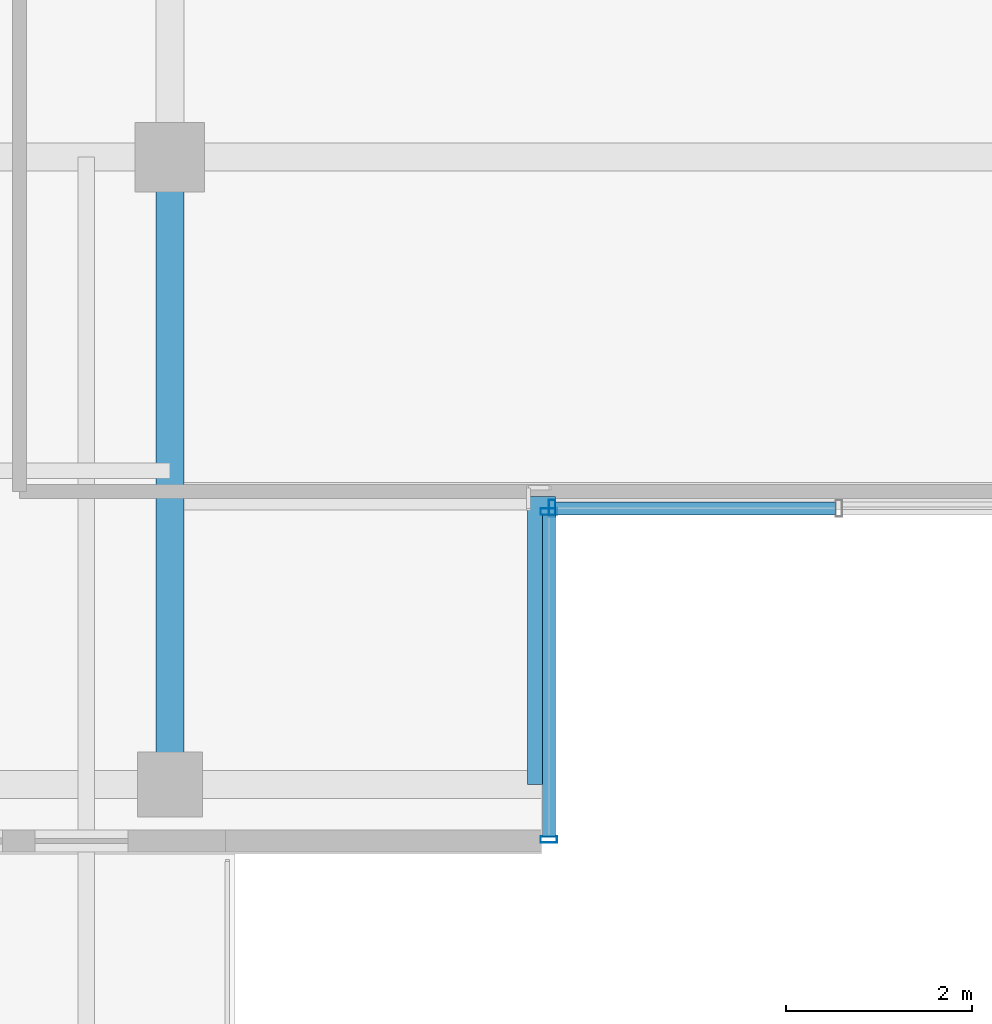
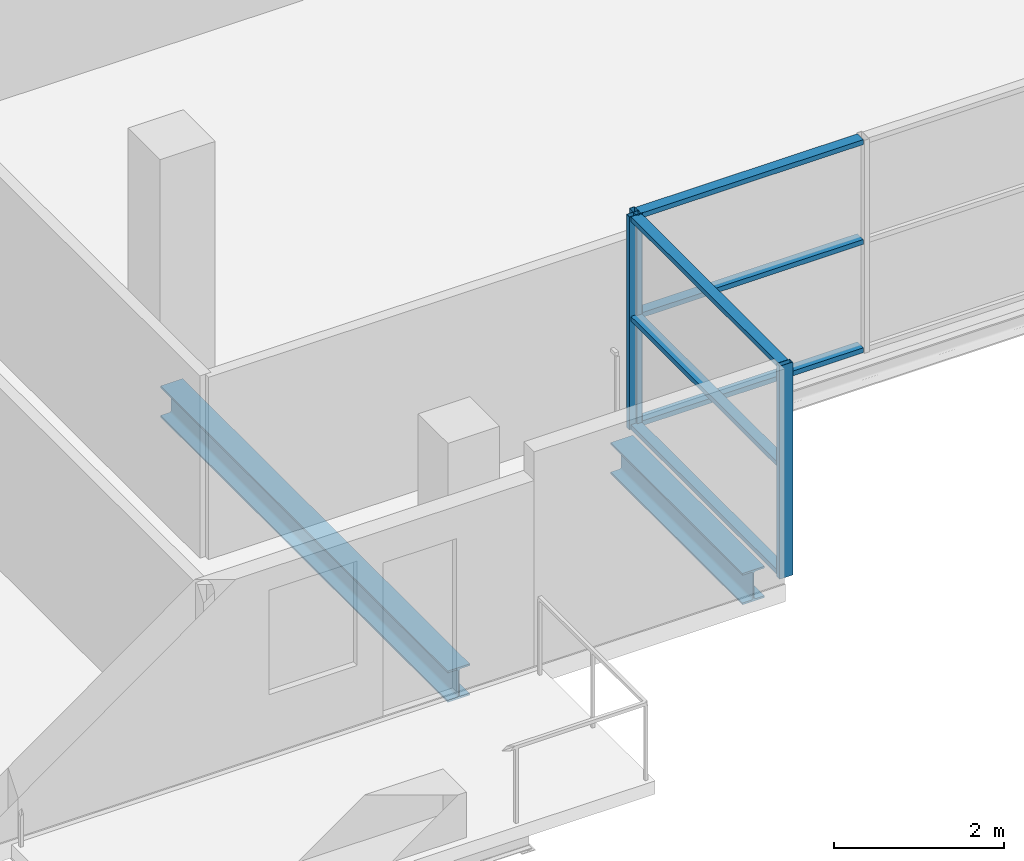
# One storey, part 6 of 24: 9 members, 2 beams, 2 elements without a shape of their own.
"""IFC4 building model written with IfcOpenShell, lengths in metres."""

from ifc_helpers import new_model, si_unit, direction, frame, origin, origin_2d, place, context, subcontext, project, spatial, hollow_rectangle, i_section, extrude, source, transform, mapped, material, layer, layer_set, material_profile, profile_set, type_object, element, aggregate, save


model = new_model("IFC4")

# Units and contexts
model_context = context("Model", 3, precision=1e-05, world=origin(), true_north=direction((0.0, 1.0)))
body_context = subcontext(model_context, "Body", "Model", "MODEL_VIEW")
ifc_project = project(units=[si_unit("LENGTHUNIT", "METRE"), si_unit("AREAUNIT", "SQUARE_METRE"), si_unit("VOLUMEUNIT", "CUBIC_METRE"), si_unit("PLANEANGLEUNIT", "RADIAN"), si_unit("MASSUNIT", "GRAM", prefix="KILO")], contexts=[model_context])

# Site, building, storey
site_placement = place(None, origin())
site = spatial("IfcSite", under=ifc_project, at=site_placement, CompositionType="ELEMENT")
building_placement = place(site_placement, origin())
building = spatial("IfcBuilding", under=site, at=building_placement, Name="Zarnakvel Exchange Tower", CompositionType="ELEMENT")
storey_placement = place(building_placement, frame((0.0, 0.0, 205.60009765625)))
storey = spatial("IfcBuildingStorey", under=building, at=storey_placement, Name="L57", CompositionType="ELEMENT", Elevation=205.60009765625)

# Beams
ifc_material_1 = material(Name="Steel S355", Category="steel")
ifc_material_profile_1 = material_profile(ifc_material_1, i_section(OverallWidth=0.300048828125, OverallDepth=0.449951171875, WebThickness=0.013916015625, FlangeThickness=0.02587890625, FilletRadius=0.027099609375, at=origin_2d()))
ifc_profile_set_1 = profile_set([ifc_material_profile_1], Name="Steel S355")
beam_type = type_object("IfcBeamType", Name="G-07", PredefinedType="BEAM", material=ifc_profile_set_1)
beam_1_placement = place(storey_placement, frame((-3.199951171875, -16.35009765625, -0.47509765625), z_axis=(0.0, 1.0, 0.0), x_axis=(-1.0, 0.0, 0.0)))
element("IfcBeam", 1, at=beam_1_placement, inside=storey, type_object=beam_type, Name="L57 South Slot West Cheek Beam", PredefinedType="BEAM", context=body_context, shape_type="SweptSolid", body=[
    extrude(i_section(OverallWidth=0.300048828125, OverallDepth=0.449951171875, WebThickness=0.013916015625, FlangeThickness=0.02587890625, FilletRadius=0.027099609375, at=origin_2d()), origin(), (0.0, 0.0, 1.0), 3.10009765625),
])
beam_2_placement = place(storey_placement, frame((-7.199951171875, -16.35009765625, -0.47509765625), z_axis=(0.0, 1.0, 0.0), x_axis=(-1.0, 0.0, 0.0)))
element("IfcBeam", 2, at=beam_2_placement, inside=storey, type_object=beam_type, Name="L57 Tower N-S Frame Beam", PredefinedType="BEAM", context=body_context, shape_type="SweptSolid", body=[
    extrude(i_section(OverallWidth=0.300048828125, OverallDepth=0.449951171875, WebThickness=0.013916015625, FlangeThickness=0.02587890625, FilletRadius=0.027099609375, at=origin_2d()), origin(), (0.0, 0.0, 1.0), 6.75),
])

# Curtain wall, members
ifc_material_2 = material(Name="Architectural Bronze Anodised Aluminium", Category="aluminium")
ifc_layer = layer(ifc_material_2, 0.179931640625)
ifc_layer_set = layer_set([ifc_layer], Name="Architectural Bronze Anodised Aluminium")
curtain_wall_type = type_object("IfcCurtainWallType", Name="CW-05", PredefinedType="NOTDEFINED", material=ifc_layer_set)
curtain_wall_1_placement = place(storey_placement, origin())
curtain_wall_1 = element("IfcCurtainWall", 3, at=curtain_wall_1_placement, inside=storey, type_object=curtain_wall_type, Name="L57 Curtain Wall CW-L57-SLW (CW-05)", PredefinedType="NOTDEFINED")
ifc_material_profile_2 = material_profile(ifc_material_2, hollow_rectangle(XDim=0.139892578125, YDim=0.070068359375, WallThickness=0.00390625, at=origin_2d()))
ifc_profile_set_2 = profile_set([ifc_material_profile_2], Name="Architectural Bronze Anodised Aluminium")
member_type_1 = type_object("IfcMemberType", Name="CWT-05", PredefinedType="USERDEFINED", material=ifc_profile_set_2)
shared_shape_1 = source(origin(), body_context, "Body", "SweptSolid", [
    extrude(hollow_rectangle(XDim=0.139892578125, YDim=0.070068359375, WallThickness=0.00390625, at=origin_2d()), origin(), (0.0, 0.0, 1.0), 3.4599609375),
])
member_1_placement = place(storey_placement, frame((-3.1201171875, -16.909912109375, 0.034912109375), z_axis=(0.0, 1.0, 0.0), x_axis=(-1.0, 0.0, 0.0)))
member_1 = element("IfcMember", 4, at=member_1_placement, type_object=member_type_1, Name="CW-05 transom 1.1", ObjectType="TRANSOM", PredefinedType="USERDEFINED", context=body_context, shape_type="MappedRepresentation", body=[
    mapped(shared_shape_1, transform((0.0, 0.0, 0.0), x_axis=(1.0, 0.0, 0.0), y_axis=(0.0, 1.0, 0.0), z_axis=(0.0, 0.0, 1.0), scale=1.0)),
])
member_2_placement = place(storey_placement, frame((-3.1201171875, -16.909912109375, 1.588623046875), z_axis=(0.0, 1.0, 0.0), x_axis=(-1.0, 0.0, 0.0)))
member_2 = element("IfcMember", 5, at=member_2_placement, type_object=member_type_1, Name="CW-05 transom 1.2", ObjectType="TRANSOM", PredefinedType="USERDEFINED", context=body_context, shape_type="MappedRepresentation", body=[
    mapped(shared_shape_1, transform((0.0, 0.0, 0.0), x_axis=(1.0, 0.0, 0.0), y_axis=(0.0, 1.0, 0.0), z_axis=(0.0, 0.0, 1.0), scale=1.0)),
])
member_3_placement = place(storey_placement, frame((-3.1201171875, -16.909912109375, 3.02001953125), z_axis=(0.0, 1.0, 0.0), x_axis=(-1.0, 0.0, 0.0)))
member_3 = element("IfcMember", 6, at=member_3_placement, type_object=member_type_1, Name="CW-05 transom 1.3", ObjectType="TRANSOM", PredefinedType="USERDEFINED", context=body_context, shape_type="MappedRepresentation", body=[
    mapped(shared_shape_1, transform((0.0, 0.0, 0.0), x_axis=(1.0, 0.0, 0.0), y_axis=(0.0, 1.0, 0.0), z_axis=(0.0, 0.0, 1.0), scale=1.0)),
])

curtain_wall_2_placement = place(storey_placement, origin())
curtain_wall_2 = element("IfcCurtainWall", 7, at=curtain_wall_2_placement, inside=storey, type_object=curtain_wall_type, Name="L57 Curtain Wall CW-L57-SLB (CW-05)", PredefinedType="NOTDEFINED")
shared_shape_2 = source(origin(), body_context, "Body", "SweptSolid", [
    extrude(hollow_rectangle(XDim=0.139892578125, YDim=0.070068359375, WallThickness=0.00390625, at=origin_2d()), origin(), (0.0, 0.0, 1.0), 3.01513671875),
])
member_4_placement = place(storey_placement, frame((-3.050048828125, -13.3798828125, 0.034912109375), z_axis=(1.0, 0.0, 0.0), x_axis=(0.0, 1.0, 0.0)))
member_4 = element("IfcMember", 8, at=member_4_placement, type_object=member_type_1, Name="CW-05 transom 1.1", ObjectType="TRANSOM", PredefinedType="USERDEFINED", context=body_context, shape_type="MappedRepresentation", body=[
    mapped(shared_shape_2, transform((0.0, 0.0, 0.0), x_axis=(1.0, 0.0, 0.0), y_axis=(0.0, 1.0, 0.0), z_axis=(0.0, 0.0, 1.0), scale=1.0)),
])
member_5_placement = place(storey_placement, frame((-3.050048828125, -13.3798828125, 1.588623046875), z_axis=(1.0, 0.0, 0.0), x_axis=(0.0, 1.0, 0.0)))
member_5 = element("IfcMember", 9, at=member_5_placement, type_object=member_type_1, Name="CW-05 transom 1.2", ObjectType="TRANSOM", PredefinedType="USERDEFINED", context=body_context, shape_type="MappedRepresentation", body=[
    mapped(shared_shape_2, transform((0.0, 0.0, 0.0), x_axis=(1.0, 0.0, 0.0), y_axis=(0.0, 1.0, 0.0), z_axis=(0.0, 0.0, 1.0), scale=1.0)),
])
member_6_placement = place(storey_placement, frame((-3.050048828125, -13.3798828125, 3.02001953125), z_axis=(1.0, 0.0, 0.0), x_axis=(0.0, 1.0, 0.0)))
member_6 = element("IfcMember", 10, at=member_6_placement, type_object=member_type_1, Name="CW-05 transom 1.3", ObjectType="TRANSOM", PredefinedType="USERDEFINED", context=body_context, shape_type="MappedRepresentation", body=[
    mapped(shared_shape_2, transform((0.0, 0.0, 0.0), x_axis=(1.0, 0.0, 0.0), y_axis=(0.0, 1.0, 0.0), z_axis=(0.0, 0.0, 1.0), scale=1.0)),
])

# Member
ifc_material_profile_3 = material_profile(ifc_material_2, hollow_rectangle(XDim=0.179931640625, YDim=0.070068359375, WallThickness=0.00390625, at=origin_2d()))
ifc_profile_set_3 = profile_set([ifc_material_profile_3], Name="Architectural Bronze Anodised Aluminium")
member_type_2 = type_object("IfcMemberType", Name="CWM-05", PredefinedType="MULLION", material=ifc_profile_set_3)
shared_shape_3 = source(origin(), body_context, "Body", "SweptSolid", [
    extrude(hollow_rectangle(XDim=0.179931640625, YDim=0.070068359375, WallThickness=0.00390625, at=origin_2d()), origin(), (0.0, 0.0, 1.0), 3.054931640625),
])
member_7_placement = place(storey_placement, frame((-3.1201171875, -16.945068359375, 0.0), z_axis=(0.0, 0.0, 1.0), x_axis=(-1.0, 0.0, 0.0)))
member_7 = element("IfcMember", 11, at=member_7_placement, type_object=member_type_2, Name="CW-05 mullion 1", PredefinedType="MULLION", context=body_context, shape_type="MappedRepresentation", body=[
    mapped(shared_shape_3, transform((0.0, 0.0, 0.0), x_axis=(1.0, 0.0, 0.0), y_axis=(0.0, 1.0, 0.0), z_axis=(0.0, 0.0, 1.0), scale=1.0)),
])

member_8_placement = place(storey_placement, frame((-3.1201171875, -13.4150390625, 0.0), z_axis=(0.0, 0.0, 1.0), x_axis=(-1.0, 0.0, 0.0)))
member_8 = element("IfcMember", 12, at=member_8_placement, type_object=member_type_2, Name="CW-05 mullion 2", PredefinedType="MULLION", context=body_context, shape_type="MappedRepresentation", body=[
    mapped(shared_shape_3, transform((0.0, 0.0, 0.0), x_axis=(1.0, 0.0, 0.0), y_axis=(0.0, 1.0, 0.0), z_axis=(0.0, 0.0, 1.0), scale=1.0)),
])

aggregate(curtain_wall_1, [member_7, member_8, member_1, member_2, member_3])

member_9_placement = place(storey_placement, frame((-3.0849609375, -13.3798828125, 0.0), z_axis=(0.0, 0.0, 1.0), x_axis=(0.0, 1.0, 0.0)))
member_9 = element("IfcMember", 13, at=member_9_placement, type_object=member_type_2, Name="CW-05 mullion 1", PredefinedType="MULLION", context=body_context, shape_type="MappedRepresentation", body=[
    mapped(shared_shape_3, transform((0.0, 0.0, 0.0), x_axis=(1.0, 0.0, 0.0), y_axis=(0.0, 1.0, 0.0), z_axis=(0.0, 0.0, 1.0), scale=1.0)),
])

aggregate(curtain_wall_2, [member_9, member_4, member_5, member_6])

save(model, "model.ifc")
